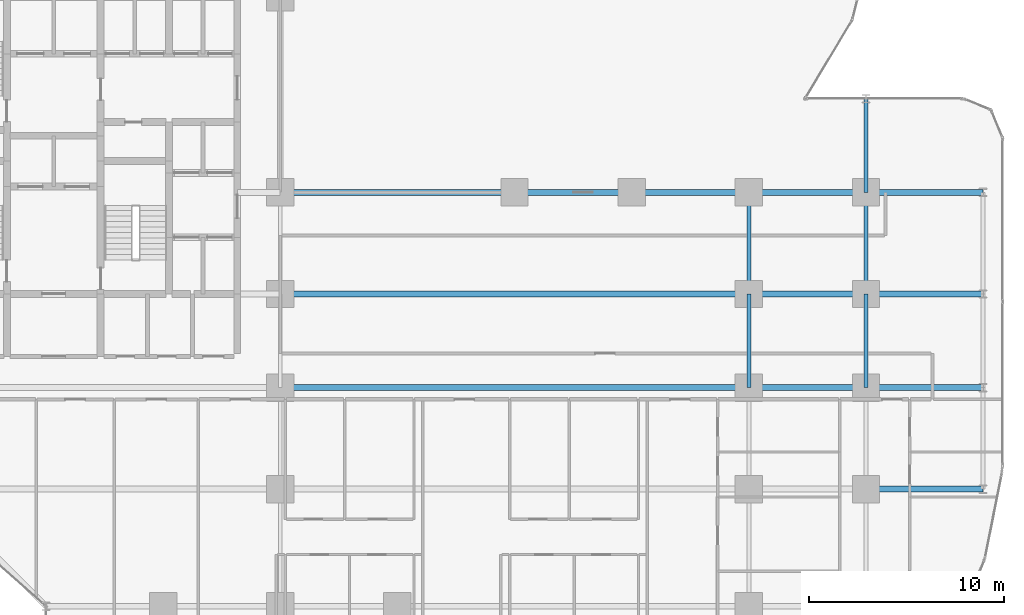
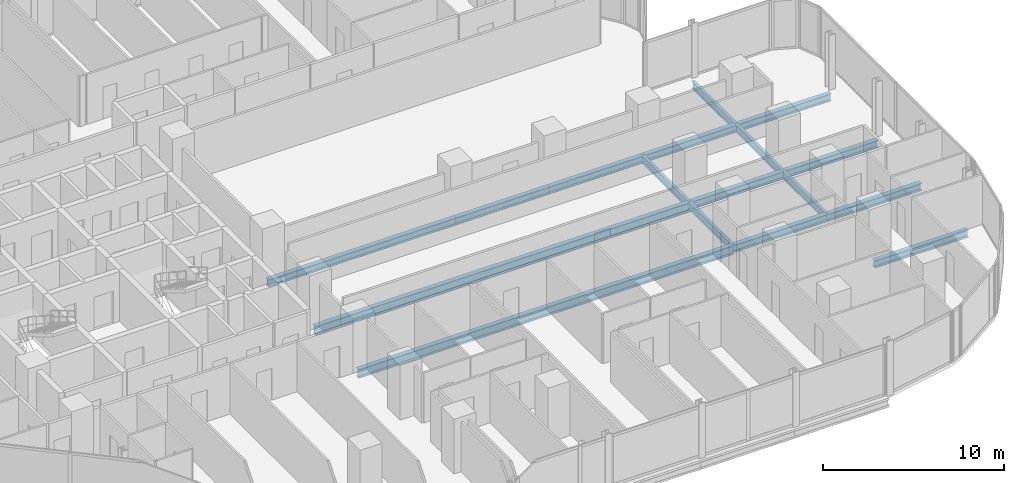
# One storey, part 10 of 33: 17 beams.
"""IFC4 building model written with IfcOpenShell, lengths in metres."""

from ifc_helpers import new_model, si_unit, direction, frame, origin, origin_2d, place, context, subcontext, project, spatial, i_section, extrude, material, material_profile, profile_set, type_object, element, save


model = new_model("IFC4")

# Units and contexts
model_context = context("Model", 3, precision=1e-05, world=origin(), true_north=direction((0.0, 1.0)))
body_context = subcontext(model_context, "Body", "Model", "MODEL_VIEW")
ifc_project = project(units=[si_unit("LENGTHUNIT", "METRE"), si_unit("AREAUNIT", "SQUARE_METRE"), si_unit("VOLUMEUNIT", "CUBIC_METRE"), si_unit("PLANEANGLEUNIT", "RADIAN"), si_unit("MASSUNIT", "GRAM", prefix="KILO")], contexts=[model_context])

# Site, building, storey
site_placement = place(None, origin())
site = spatial("IfcSite", under=ifc_project, at=site_placement, CompositionType="ELEMENT")
building_placement = place(site_placement, origin())
building = spatial("IfcBuilding", under=site, at=building_placement, Name="Keshet Zoharim Tower", CompositionType="ELEMENT")
storey_placement = place(building_placement, frame((0.0, 0.0, 49.89990234375)))
storey = spatial("IfcBuildingStorey", under=building, at=storey_placement, Name="L11", CompositionType="ELEMENT", Elevation=49.89990234375)

# Beams
ifc_material = material(Name="Steel S355", Category="steel")
ifc_material_profile_1 = material_profile(ifc_material, i_section(OverallWidth=0.300048828125, OverallDepth=0.60009765625, WebThickness=0.015380859375, FlangeThickness=0.030029296875, FilletRadius=0.027099609375, at=origin_2d()), Name="HEB600")
ifc_profile_set_1 = profile_set([ifc_material_profile_1], Name="Steel S355")
beam_type_1 = type_object("IfcBeamType", Name="BM-LNG-HB600", PredefinedType="BEAM", material=ifc_profile_set_1)
for number, where, z_axis, x_axis, name in (
    (1, (33.0, 17.89990234375, -0.614990234375), (1.0, 0.0, 0.0), (0.0, 1.0, 0.0), "L11 Primary Girder X-017"),
    (2, (33.0, 22.699951171875, -0.614990234375), (1.0, 0.0, 0.0), (0.0, 1.0, 0.0), "L11 Primary Girder X-020"),
):
    element("IfcBeam", number, at=place(storey_placement, frame(where, z_axis=z_axis, x_axis=x_axis)), inside=storey, type_object=beam_type_1, Name=name, PredefinedType="BEAM", context=body_context, shape_type="SweptSolid", body=[
        extrude(i_section(OverallWidth=0.300048828125, OverallDepth=0.60009765625, WebThickness=0.015380859375, FlangeThickness=0.030029296875, FilletRadius=0.027099609375, at=origin_2d()), origin(), (0.0, 0.0, 1.0), 24.0),
    ])
ifc_material_profile_2 = material_profile(ifc_material, i_section(OverallWidth=0.300048828125, OverallDepth=0.5, WebThickness=0.014404296875, FlangeThickness=0.028076171875, FilletRadius=0.027099609375, at=origin_2d()), Name="HEB500")
ifc_profile_set_2 = profile_set([ifc_material_profile_2], Name="Steel S355")
beam_type_2 = type_object("IfcBeamType", Name="BM-MED-HB500", PredefinedType="BEAM", material=ifc_profile_set_2)
beam_1_placement = place(storey_placement, frame((33.0, 27.89990234375, -0.56494140625), z_axis=(1.0, 0.0, 0.0), x_axis=(0.0, 1.0, 0.0)))
element("IfcBeam", 3, at=beam_1_placement, inside=storey, type_object=beam_type_2, Name="L11 Primary Girder X-023", PredefinedType="BEAM", context=body_context, shape_type="SweptSolid", body=[
    extrude(i_section(OverallWidth=0.300048828125, OverallDepth=0.5, WebThickness=0.014404296875, FlangeThickness=0.028076171875, FilletRadius=0.027099609375, at=origin_2d()), origin(), (0.0, 0.0, 1.0), 12.0),
])
ifc_material_profile_3 = material_profile(ifc_material, i_section(OverallWidth=0.199951171875, OverallDepth=0.5, WebThickness=0.01025390625, FlangeThickness=0.01611328125, FilletRadius=0.02099609375, at=origin_2d()), Name="IPE500")
ifc_profile_set_3 = profile_set([ifc_material_profile_3], Name="Steel S355")
beam_type_3 = type_object("IfcBeamType", Name="BM-PRI-IP500", PredefinedType="BEAM", material=ifc_profile_set_3)
beam_2_placement = place(storey_placement, frame((57.0, 17.89990234375, -0.56494140625), z_axis=(0.0, 1.0, 0.0), x_axis=(-1.0, 0.0, 0.0)))
element("IfcBeam", 4, at=beam_2_placement, inside=storey, type_object=beam_type_3, Name="L11 Primary Girder Y-016", PredefinedType="BEAM", context=body_context, shape_type="SweptSolid", body=[
    extrude(i_section(OverallWidth=0.199951171875, OverallDepth=0.5, WebThickness=0.01025390625, FlangeThickness=0.01611328125, FilletRadius=0.02099609375, at=origin_2d()), origin(), (0.0, 0.0, 1.0), 4.800048828125),
])
beam_3_placement = place(storey_placement, frame((57.0, 22.699951171875, -0.56494140625), z_axis=(0.0, 1.0, 0.0), x_axis=(-1.0, 0.0, 0.0)))
element("IfcBeam", 5, at=beam_3_placement, inside=storey, type_object=beam_type_3, Name="L11 Primary Girder Y-017", PredefinedType="BEAM", context=body_context, shape_type="SweptSolid", body=[
    extrude(i_section(OverallWidth=0.199951171875, OverallDepth=0.5, WebThickness=0.01025390625, FlangeThickness=0.01611328125, FilletRadius=0.02099609375, at=origin_2d()), origin(), (0.0, 0.0, 1.0), 5.199951171875),
])
beam_4_placement = place(storey_placement, frame((63.0, 17.89990234375, -0.56494140625), z_axis=(0.0, 1.0, 0.0), x_axis=(-1.0, 0.0, 0.0)))
element("IfcBeam", 6, at=beam_4_placement, inside=storey, type_object=beam_type_3, Name="L11 Primary Girder Y-020", PredefinedType="BEAM", context=body_context, shape_type="SweptSolid", body=[
    extrude(i_section(OverallWidth=0.199951171875, OverallDepth=0.5, WebThickness=0.01025390625, FlangeThickness=0.01611328125, FilletRadius=0.02099609375, at=origin_2d()), origin(), (0.0, 0.0, 1.0), 4.800048828125),
])
beam_5_placement = place(storey_placement, frame((63.0, 22.699951171875, -0.56494140625), z_axis=(0.0, 1.0, 0.0), x_axis=(-1.0, 0.0, 0.0)))
element("IfcBeam", 7, at=beam_5_placement, inside=storey, type_object=beam_type_3, Name="L11 Primary Girder Y-021", PredefinedType="BEAM", context=body_context, shape_type="SweptSolid", body=[
    extrude(i_section(OverallWidth=0.199951171875, OverallDepth=0.5, WebThickness=0.01025390625, FlangeThickness=0.01611328125, FilletRadius=0.02099609375, at=origin_2d()), origin(), (0.0, 0.0, 1.0), 5.199951171875),
])
beam_6_placement = place(storey_placement, frame((63.0, 27.89990234375, -0.56494140625), z_axis=(0.0, 1.0, 0.0), x_axis=(-1.0, 0.0, 0.0)))
element("IfcBeam", 8, at=beam_6_placement, inside=storey, type_object=beam_type_3, Name="L11 Primary Girder Y-022", PredefinedType="BEAM", context=body_context, shape_type="SweptSolid", body=[
    extrude(i_section(OverallWidth=0.199951171875, OverallDepth=0.5, WebThickness=0.01025390625, FlangeThickness=0.01611328125, FilletRadius=0.02099609375, at=origin_2d()), origin(), (0.0, 0.0, 1.0), 4.800048828125),
])
ifc_material_profile_4 = material_profile(ifc_material, i_section(OverallWidth=0.300048828125, OverallDepth=0.5, WebThickness=0.014404296875, FlangeThickness=0.028076171875, FilletRadius=0.027099609375, at=origin_2d()), Name="HEB500")
ifc_profile_set_4 = profile_set([ifc_material_profile_4], Name="Steel S355")
beam_type_4 = type_object("IfcBeamType", Name="BM-WEB-HB500", PredefinedType="BEAM", material=ifc_profile_set_4)
for number, where, z_axis, x_axis, name in (
    (9, (63.0, 12.699951171875, -0.56494140625), (1.0, 0.0, 0.0), (0.0, 1.0, 0.0), "L11 Primary Girder X-014"),
    (10, (57.0, 17.89990234375, -0.56494140625), (1.0, 0.0, 0.0), (0.0, 1.0, 0.0), "L11 Primary Girder X-018"),
    (11, (63.0, 17.89990234375, -0.56494140625), (1.0, 0.0, 0.0), (0.0, 1.0, 0.0), "L11 Primary Girder X-019"),
    (12, (57.0, 22.699951171875, -0.56494140625), (1.0, 0.0, 0.0), (0.0, 1.0, 0.0), "L11 Primary Girder X-021"),
    (13, (63.0, 22.699951171875, -0.56494140625), (1.0, 0.0, 0.0), (0.0, 1.0, 0.0), "L11 Primary Girder X-022"),
    (14, (45.0, 27.89990234375, -0.56494140625), (1.0, 0.0, 0.0), (0.0, 1.0, 0.0), "L11 Primary Girder X-024"),
    (15, (51.0, 27.89990234375, -0.56494140625), (1.0, 0.0, 0.0), (0.0, 1.0, 0.0), "L11 Primary Girder X-025"),
    (16, (57.0, 27.89990234375, -0.56494140625), (1.0, 0.0, 0.0), (0.0, 1.0, 0.0), "L11 Primary Girder X-026"),
    (17, (63.0, 27.89990234375, -0.56494140625), (1.0, 0.0, 0.0), (0.0, 1.0, 0.0), "L11 Primary Girder X-027"),
):
    element("IfcBeam", number, at=place(storey_placement, frame(where, z_axis=z_axis, x_axis=x_axis)), inside=storey, type_object=beam_type_4, Name=name, PredefinedType="BEAM", context=body_context, shape_type="SweptSolid", body=[
        extrude(i_section(OverallWidth=0.300048828125, OverallDepth=0.5, WebThickness=0.014404296875, FlangeThickness=0.028076171875, FilletRadius=0.027099609375, at=origin_2d()), origin(), (0.0, 0.0, 1.0), 6.0),
    ])

save(model, "model.ifc")
